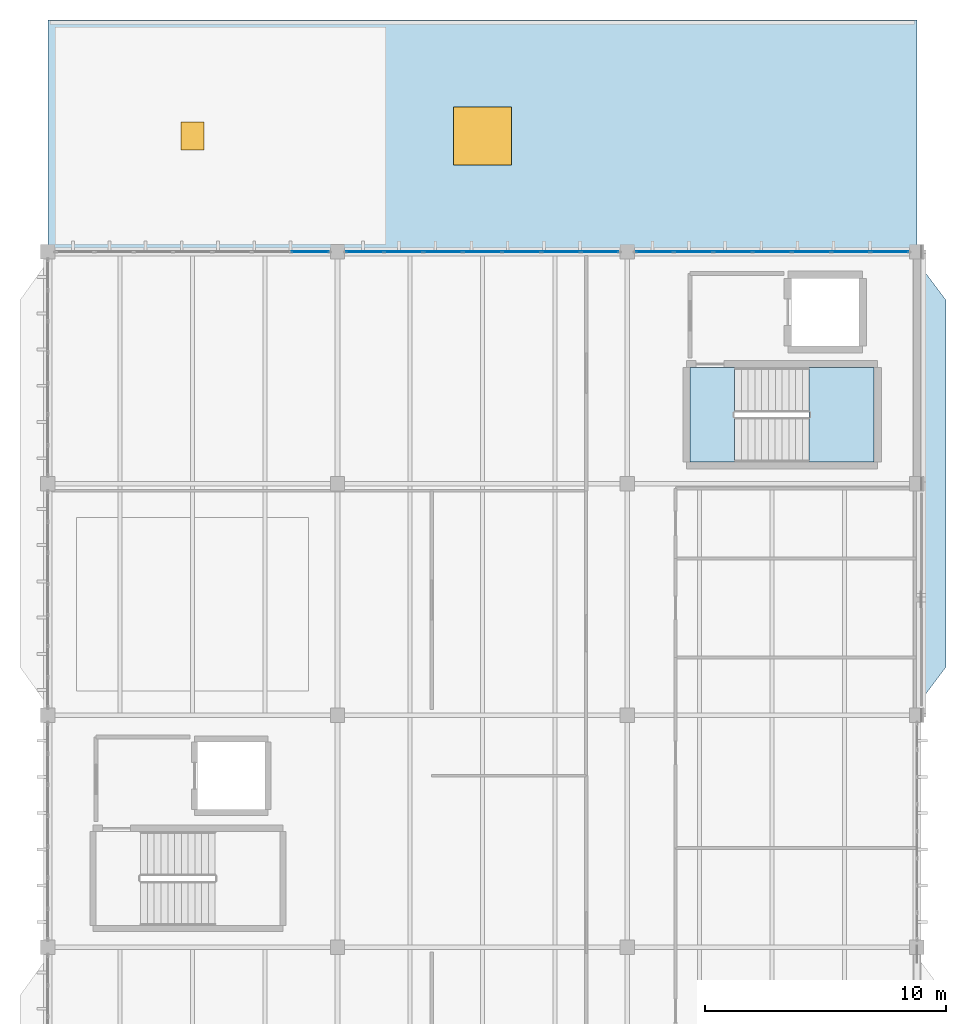
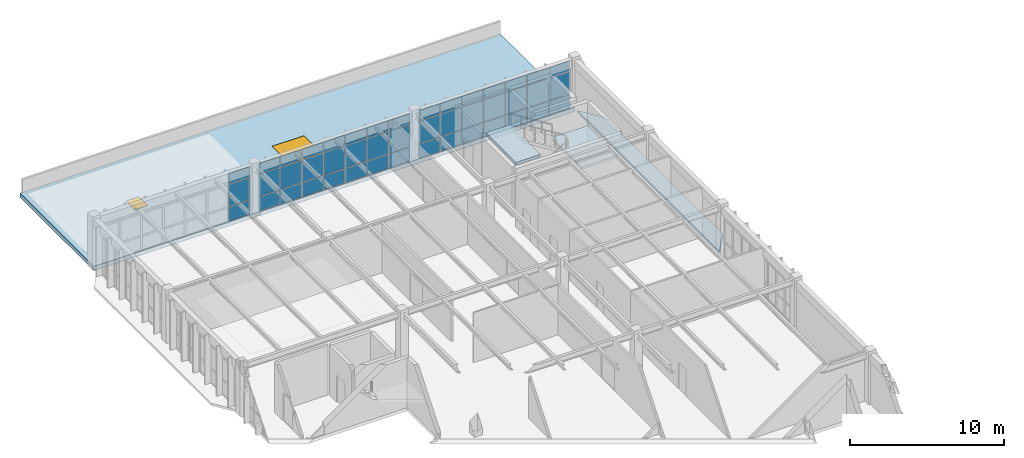
# One storey, part 29 of 37: 45 plates, 4 slabs, 1 door, 1 window, 2 openings, 4 elements without a shape of their own.
"""IFC4 building model written with IfcOpenShell, lengths in metres."""

from ifc_helpers import new_model, si_unit, direction, frame, origin, origin_2d, place, context, subcontext, project, spatial, polyline, rectangle, outline, extrude, material, layer, layer_set, type_object, element, fill, aggregate, save


model = new_model("IFC4")

# Units and contexts
model_context = context("Model", 3, precision=1e-05, world=origin(), true_north=direction((0.0, 1.0)))
body_context = subcontext(model_context, "Body", "Model", "MODEL_VIEW")
ifc_project = project(units=[si_unit("LENGTHUNIT", "METRE"), si_unit("AREAUNIT", "SQUARE_METRE"), si_unit("VOLUMEUNIT", "CUBIC_METRE"), si_unit("PLANEANGLEUNIT", "RADIAN"), si_unit("MASSUNIT", "GRAM", prefix="KILO")], contexts=[model_context])

# Site, building, storey
site_placement = place(None, origin())
site = spatial("IfcSite", under=ifc_project, at=site_placement, CompositionType="ELEMENT")
building_placement = place(site_placement, origin())
building = spatial("IfcBuilding", under=site, at=building_placement, Name="Pandanus Reach Market Hall", CompositionType="ELEMENT")
storey_placement = place(building_placement, frame((0.0, 0.0, 14.39990234375)))
storey = spatial("IfcBuildingStorey", under=building, at=storey_placement, Name="L03", CompositionType="ELEMENT", Elevation=14.39990234375)

# Curtain wall, plates
ifc_material_1 = material(Name="Bronze anodised aluminium and low-E glass", Category="aluminium")
ifc_layer_1 = layer(ifc_material_1, 0.159912109375, Name="CW-31")
ifc_layer_set_1 = layer_set([ifc_layer_1], Name="Bronze anodised aluminium and low-E glass")
curtain_wall_type = type_object("IfcCurtainWallType", Name="CW-31", PredefinedType="NOTDEFINED", material=ifc_layer_set_1)
curtain_wall_1_placement = place(storey_placement, origin())
curtain_wall_1 = element("IfcCurtainWall", 1, at=curtain_wall_1_placement, inside=storey, type_object=curtain_wall_type, Name="Glazed curtain wall CW-31 CW-0118", PredefinedType="NOTDEFINED")
ifc_material_2 = material(Name="Solar-control double glazing", Category="glass")
ifc_layer_2 = layer(ifc_material_2, 0.028076171875, Name="CW-P1")
ifc_layer_set_2 = layer_set([ifc_layer_2], Name="Solar-control double glazing")
plate_type = type_object("IfcPlateType", Name="CW-P1", PredefinedType="CURTAIN_PANEL", material=ifc_layer_set_2)
plate_1_placement = place(storey_placement, frame((154.869384765625, 76.800048828125, 0.065185546875), z_axis=(0.0, 0.0, 1.0), x_axis=(1.0, 0.0, 0.0)))
plate_1 = element("IfcPlate", 2, at=plate_1_placement, type_object=plate_type, Name="CW-31 panel 7.1", PredefinedType="CURTAIN_PANEL", context=body_context, shape_type="SweptSolid", body=[
    extrude(rectangle(XDim=1.531005859375, YDim=0.028076171875, at=origin_2d()), origin(), (0.0, 0.0, 1.0), 1.1025390625),
])
plate_2_placement = place(storey_placement, frame((154.869384765625, 76.800048828125, 1.232421875), z_axis=(0.0, 0.0, 1.0), x_axis=(1.0, 0.0, 0.0)))
plate_2 = element("IfcPlate", 3, at=plate_2_placement, type_object=plate_type, Name="CW-31 panel 7.2", PredefinedType="CURTAIN_PANEL", context=body_context, shape_type="SweptSolid", body=[
    extrude(rectangle(XDim=1.531005859375, YDim=0.028076171875, at=origin_2d()), origin(), (0.0, 0.0, 1.0), 1.735107421875),
])
plate_3_placement = place(storey_placement, frame((154.869384765625, 76.800048828125, 3.03271484375), z_axis=(0.0, 0.0, 1.0), x_axis=(1.0, 0.0, 0.0)))
plate_3 = element("IfcPlate", 4, at=plate_3_placement, type_object=plate_type, Name="CW-31 panel 7.3", PredefinedType="CURTAIN_PANEL", context=body_context, shape_type="SweptSolid", body=[
    extrude(rectangle(XDim=1.531005859375, YDim=0.028076171875, at=origin_2d()), origin(), (0.0, 0.0, 1.0), 0.802490234375),
])
aggregate(curtain_wall_1, [plate_1, plate_2, plate_3])

curtain_wall_2_placement = place(storey_placement, origin())
curtain_wall_2 = element("IfcCurtainWall", 5, at=curtain_wall_2_placement, inside=storey, type_object=curtain_wall_type, Name="Glazed curtain wall CW-31 CW-0119", PredefinedType="NOTDEFINED")
plate_4_placement = place(storey_placement, frame((157.130615234375, 76.800048828125, 0.065185546875), z_axis=(0.0, 0.0, 1.0), x_axis=(1.0, 0.0, 0.0)))
plate_4 = element("IfcPlate", 6, at=plate_4_placement, type_object=plate_type, Name="CW-31 panel 1.1", PredefinedType="CURTAIN_PANEL", context=body_context, shape_type="SweptSolid", body=[
    extrude(rectangle(XDim=1.531005859375, YDim=0.028076171875, at=origin_2d()), origin(), (0.0, 0.0, 1.0), 1.1025390625),
])
plate_5_placement = place(storey_placement, frame((157.130615234375, 76.800048828125, 1.232421875), z_axis=(0.0, 0.0, 1.0), x_axis=(1.0, 0.0, 0.0)))
plate_5 = element("IfcPlate", 7, at=plate_5_placement, type_object=plate_type, Name="CW-31 panel 1.2", PredefinedType="CURTAIN_PANEL", context=body_context, shape_type="SweptSolid", body=[
    extrude(rectangle(XDim=1.531005859375, YDim=0.028076171875, at=origin_2d()), origin(), (0.0, 0.0, 1.0), 1.735107421875),
])
plate_6_placement = place(storey_placement, frame((157.130615234375, 76.800048828125, 3.03271484375), z_axis=(0.0, 0.0, 1.0), x_axis=(1.0, 0.0, 0.0)))
plate_6 = element("IfcPlate", 8, at=plate_6_placement, type_object=plate_type, Name="CW-31 panel 1.3", PredefinedType="CURTAIN_PANEL", context=body_context, shape_type="SweptSolid", body=[
    extrude(rectangle(XDim=1.531005859375, YDim=0.028076171875, at=origin_2d()), origin(), (0.0, 0.0, 1.0), 0.802490234375),
])
plate_7_placement = place(storey_placement, frame((158.742919921875, 76.800048828125, 0.065185546875), z_axis=(0.0, 0.0, 1.0), x_axis=(1.0, 0.0, 0.0)))
plate_7 = element("IfcPlate", 9, at=plate_7_placement, type_object=plate_type, Name="CW-31 panel 2.1", PredefinedType="CURTAIN_PANEL", context=body_context, shape_type="SweptSolid", body=[
    extrude(rectangle(XDim=1.5634765625, YDim=0.028076171875, at=origin_2d()), origin(), (0.0, 0.0, 1.0), 1.1025390625),
])
plate_8_placement = place(storey_placement, frame((158.742919921875, 76.800048828125, 1.232421875), z_axis=(0.0, 0.0, 1.0), x_axis=(1.0, 0.0, 0.0)))
plate_8 = element("IfcPlate", 10, at=plate_8_placement, type_object=plate_type, Name="CW-31 panel 2.2", PredefinedType="CURTAIN_PANEL", context=body_context, shape_type="SweptSolid", body=[
    extrude(rectangle(XDim=1.5634765625, YDim=0.028076171875, at=origin_2d()), origin(), (0.0, 0.0, 1.0), 1.735107421875),
])
plate_9_placement = place(storey_placement, frame((158.742919921875, 76.800048828125, 3.03271484375), z_axis=(0.0, 0.0, 1.0), x_axis=(1.0, 0.0, 0.0)))
plate_9 = element("IfcPlate", 11, at=plate_9_placement, type_object=plate_type, Name="CW-31 panel 2.3", PredefinedType="CURTAIN_PANEL", context=body_context, shape_type="SweptSolid", body=[
    extrude(rectangle(XDim=1.5634765625, YDim=0.028076171875, at=origin_2d()), origin(), (0.0, 0.0, 1.0), 0.802490234375),
])
plate_10_placement = place(storey_placement, frame((160.371337890625, 76.800048828125, 0.065185546875), z_axis=(0.0, 0.0, 1.0), x_axis=(1.0, 0.0, 0.0)))
plate_10 = element("IfcPlate", 12, at=plate_10_placement, type_object=plate_type, Name="CW-31 panel 3.1", PredefinedType="CURTAIN_PANEL", context=body_context, shape_type="SweptSolid", body=[
    extrude(rectangle(XDim=1.5634765625, YDim=0.028076171875, at=origin_2d()), origin(), (0.0, 0.0, 1.0), 1.1025390625),
])
plate_11_placement = place(storey_placement, frame((160.371337890625, 76.800048828125, 1.232421875), z_axis=(0.0, 0.0, 1.0), x_axis=(1.0, 0.0, 0.0)))
plate_11 = element("IfcPlate", 13, at=plate_11_placement, type_object=plate_type, Name="CW-31 panel 3.2", PredefinedType="CURTAIN_PANEL", context=body_context, shape_type="SweptSolid", body=[
    extrude(rectangle(XDim=1.5634765625, YDim=0.028076171875, at=origin_2d()), origin(), (0.0, 0.0, 1.0), 1.735107421875),
])
plate_12_placement = place(storey_placement, frame((160.371337890625, 76.800048828125, 3.03271484375), z_axis=(0.0, 0.0, 1.0), x_axis=(1.0, 0.0, 0.0)))
plate_12 = element("IfcPlate", 14, at=plate_12_placement, type_object=plate_type, Name="CW-31 panel 3.3", PredefinedType="CURTAIN_PANEL", context=body_context, shape_type="SweptSolid", body=[
    extrude(rectangle(XDim=1.5634765625, YDim=0.028076171875, at=origin_2d()), origin(), (0.0, 0.0, 1.0), 0.802490234375),
])
plate_13_placement = place(storey_placement, frame((162.0, 76.800048828125, 0.065185546875), z_axis=(0.0, 0.0, 1.0), x_axis=(1.0, 0.0, 0.0)))
plate_13 = element("IfcPlate", 15, at=plate_13_placement, type_object=plate_type, Name="CW-31 panel 4.1", PredefinedType="CURTAIN_PANEL", context=body_context, shape_type="SweptSolid", body=[
    extrude(rectangle(XDim=1.5634765625, YDim=0.028076171875, at=origin_2d()), origin(), (0.0, 0.0, 1.0), 1.1025390625),
])
plate_14_placement = place(storey_placement, frame((162.0, 76.800048828125, 1.232421875), z_axis=(0.0, 0.0, 1.0), x_axis=(1.0, 0.0, 0.0)))
plate_14 = element("IfcPlate", 16, at=plate_14_placement, type_object=plate_type, Name="CW-31 panel 4.2", PredefinedType="CURTAIN_PANEL", context=body_context, shape_type="SweptSolid", body=[
    extrude(rectangle(XDim=1.5634765625, YDim=0.028076171875, at=origin_2d()), origin(), (0.0, 0.0, 1.0), 1.735107421875),
])
plate_15_placement = place(storey_placement, frame((162.0, 76.800048828125, 3.03271484375), z_axis=(0.0, 0.0, 1.0), x_axis=(1.0, 0.0, 0.0)))
plate_15 = element("IfcPlate", 17, at=plate_15_placement, type_object=plate_type, Name="CW-31 panel 4.3", PredefinedType="CURTAIN_PANEL", context=body_context, shape_type="SweptSolid", body=[
    extrude(rectangle(XDim=1.5634765625, YDim=0.028076171875, at=origin_2d()), origin(), (0.0, 0.0, 1.0), 0.802490234375),
])
plate_16_placement = place(storey_placement, frame((163.628662109375, 76.800048828125, 0.065185546875), z_axis=(0.0, 0.0, 1.0), x_axis=(1.0, 0.0, 0.0)))
plate_16 = element("IfcPlate", 18, at=plate_16_placement, type_object=plate_type, Name="CW-31 panel 5.1", PredefinedType="CURTAIN_PANEL", context=body_context, shape_type="SweptSolid", body=[
    extrude(rectangle(XDim=1.5634765625, YDim=0.028076171875, at=origin_2d()), origin(), (0.0, 0.0, 1.0), 1.1025390625),
])
plate_17_placement = place(storey_placement, frame((163.628662109375, 76.800048828125, 1.232421875), z_axis=(0.0, 0.0, 1.0), x_axis=(1.0, 0.0, 0.0)))
plate_17 = element("IfcPlate", 19, at=plate_17_placement, type_object=plate_type, Name="CW-31 panel 5.2", PredefinedType="CURTAIN_PANEL", context=body_context, shape_type="SweptSolid", body=[
    extrude(rectangle(XDim=1.5634765625, YDim=0.028076171875, at=origin_2d()), origin(), (0.0, 0.0, 1.0), 1.735107421875),
])
plate_18_placement = place(storey_placement, frame((163.628662109375, 76.800048828125, 3.03271484375), z_axis=(0.0, 0.0, 1.0), x_axis=(1.0, 0.0, 0.0)))
plate_18 = element("IfcPlate", 20, at=plate_18_placement, type_object=plate_type, Name="CW-31 panel 5.3", PredefinedType="CURTAIN_PANEL", context=body_context, shape_type="SweptSolid", body=[
    extrude(rectangle(XDim=1.5634765625, YDim=0.028076171875, at=origin_2d()), origin(), (0.0, 0.0, 1.0), 0.802490234375),
])
plate_19_placement = place(storey_placement, frame((165.257080078125, 76.800048828125, 0.065185546875), z_axis=(0.0, 0.0, 1.0), x_axis=(1.0, 0.0, 0.0)))
plate_19 = element("IfcPlate", 21, at=plate_19_placement, type_object=plate_type, Name="CW-31 panel 6.1", PredefinedType="CURTAIN_PANEL", context=body_context, shape_type="SweptSolid", body=[
    extrude(rectangle(XDim=1.5634765625, YDim=0.028076171875, at=origin_2d()), origin(), (0.0, 0.0, 1.0), 1.1025390625),
])
plate_20_placement = place(storey_placement, frame((165.257080078125, 76.800048828125, 1.232421875), z_axis=(0.0, 0.0, 1.0), x_axis=(1.0, 0.0, 0.0)))
plate_20 = element("IfcPlate", 22, at=plate_20_placement, type_object=plate_type, Name="CW-31 panel 6.2", PredefinedType="CURTAIN_PANEL", context=body_context, shape_type="SweptSolid", body=[
    extrude(rectangle(XDim=1.5634765625, YDim=0.028076171875, at=origin_2d()), origin(), (0.0, 0.0, 1.0), 1.735107421875),
])
plate_21_placement = place(storey_placement, frame((165.257080078125, 76.800048828125, 3.03271484375), z_axis=(0.0, 0.0, 1.0), x_axis=(1.0, 0.0, 0.0)))
plate_21 = element("IfcPlate", 23, at=plate_21_placement, type_object=plate_type, Name="CW-31 panel 6.3", PredefinedType="CURTAIN_PANEL", context=body_context, shape_type="SweptSolid", body=[
    extrude(rectangle(XDim=1.5634765625, YDim=0.028076171875, at=origin_2d()), origin(), (0.0, 0.0, 1.0), 0.802490234375),
])
plate_22_placement = place(storey_placement, frame((166.869384765625, 76.800048828125, 0.065185546875), z_axis=(0.0, 0.0, 1.0), x_axis=(1.0, 0.0, 0.0)))
plate_22 = element("IfcPlate", 24, at=plate_22_placement, type_object=plate_type, Name="CW-31 panel 7.1", PredefinedType="CURTAIN_PANEL", context=body_context, shape_type="SweptSolid", body=[
    extrude(rectangle(XDim=1.531005859375, YDim=0.028076171875, at=origin_2d()), origin(), (0.0, 0.0, 1.0), 1.1025390625),
])
plate_23_placement = place(storey_placement, frame((166.869384765625, 76.800048828125, 1.232421875), z_axis=(0.0, 0.0, 1.0), x_axis=(1.0, 0.0, 0.0)))
plate_23 = element("IfcPlate", 25, at=plate_23_placement, type_object=plate_type, Name="CW-31 panel 7.2", PredefinedType="CURTAIN_PANEL", context=body_context, shape_type="SweptSolid", body=[
    extrude(rectangle(XDim=1.531005859375, YDim=0.028076171875, at=origin_2d()), origin(), (0.0, 0.0, 1.0), 1.735107421875),
])
plate_24_placement = place(storey_placement, frame((166.869384765625, 76.800048828125, 3.03271484375), z_axis=(0.0, 0.0, 1.0), x_axis=(1.0, 0.0, 0.0)))
plate_24 = element("IfcPlate", 26, at=plate_24_placement, type_object=plate_type, Name="CW-31 panel 7.3", PredefinedType="CURTAIN_PANEL", context=body_context, shape_type="SweptSolid", body=[
    extrude(rectangle(XDim=1.531005859375, YDim=0.028076171875, at=origin_2d()), origin(), (0.0, 0.0, 1.0), 0.802490234375),
])
aggregate(curtain_wall_2, [plate_4, plate_5, plate_6, plate_7, plate_8, plate_9, plate_10, plate_11, plate_12, plate_13, plate_14, plate_15, plate_16, plate_17, plate_18, plate_19, plate_20, plate_21, plate_22, plate_23, plate_24])

curtain_wall_3_placement = place(storey_placement, origin())
curtain_wall_3 = element("IfcCurtainWall", 27, at=curtain_wall_3_placement, inside=storey, type_object=curtain_wall_type, Name="Glazed curtain wall CW-31 CW-0120", PredefinedType="NOTDEFINED")
plate_25_placement = place(storey_placement, frame((169.130615234375, 76.800048828125, 0.065185546875), z_axis=(0.0, 0.0, 1.0), x_axis=(1.0, 0.0, 0.0)))
plate_25 = element("IfcPlate", 28, at=plate_25_placement, type_object=plate_type, Name="CW-31 panel 1.1", PredefinedType="CURTAIN_PANEL", context=body_context, shape_type="SweptSolid", body=[
    extrude(rectangle(XDim=1.531005859375, YDim=0.028076171875, at=origin_2d()), origin(), (0.0, 0.0, 1.0), 1.1025390625),
])
plate_26_placement = place(storey_placement, frame((169.130615234375, 76.800048828125, 1.232421875), z_axis=(0.0, 0.0, 1.0), x_axis=(1.0, 0.0, 0.0)))
plate_26 = element("IfcPlate", 29, at=plate_26_placement, type_object=plate_type, Name="CW-31 panel 1.2", PredefinedType="CURTAIN_PANEL", context=body_context, shape_type="SweptSolid", body=[
    extrude(rectangle(XDim=1.531005859375, YDim=0.028076171875, at=origin_2d()), origin(), (0.0, 0.0, 1.0), 1.735107421875),
])
plate_27_placement = place(storey_placement, frame((169.130615234375, 76.800048828125, 3.03271484375), z_axis=(0.0, 0.0, 1.0), x_axis=(1.0, 0.0, 0.0)))
plate_27 = element("IfcPlate", 30, at=plate_27_placement, type_object=plate_type, Name="CW-31 panel 1.3", PredefinedType="CURTAIN_PANEL", context=body_context, shape_type="SweptSolid", body=[
    extrude(rectangle(XDim=1.531005859375, YDim=0.028076171875, at=origin_2d()), origin(), (0.0, 0.0, 1.0), 0.802490234375),
])
plate_28_placement = place(storey_placement, frame((170.742919921875, 76.800048828125, 0.065185546875), z_axis=(0.0, 0.0, 1.0), x_axis=(1.0, 0.0, 0.0)))
plate_28 = element("IfcPlate", 31, at=plate_28_placement, type_object=plate_type, Name="CW-31 panel 2.1", PredefinedType="CURTAIN_PANEL", context=body_context, shape_type="SweptSolid", body=[
    extrude(rectangle(XDim=1.5634765625, YDim=0.028076171875, at=origin_2d()), origin(), (0.0, 0.0, 1.0), 1.1025390625),
])
plate_29_placement = place(storey_placement, frame((170.742919921875, 76.800048828125, 1.232421875), z_axis=(0.0, 0.0, 1.0), x_axis=(1.0, 0.0, 0.0)))
plate_29 = element("IfcPlate", 32, at=plate_29_placement, type_object=plate_type, Name="CW-31 panel 2.2", PredefinedType="CURTAIN_PANEL", context=body_context, shape_type="SweptSolid", body=[
    extrude(rectangle(XDim=1.5634765625, YDim=0.028076171875, at=origin_2d()), origin(), (0.0, 0.0, 1.0), 1.735107421875),
])
plate_30_placement = place(storey_placement, frame((170.742919921875, 76.800048828125, 3.03271484375), z_axis=(0.0, 0.0, 1.0), x_axis=(1.0, 0.0, 0.0)))
plate_30 = element("IfcPlate", 33, at=plate_30_placement, type_object=plate_type, Name="CW-31 panel 2.3", PredefinedType="CURTAIN_PANEL", context=body_context, shape_type="SweptSolid", body=[
    extrude(rectangle(XDim=1.5634765625, YDim=0.028076171875, at=origin_2d()), origin(), (0.0, 0.0, 1.0), 0.802490234375),
])
plate_31_placement = place(storey_placement, frame((172.371337890625, 76.800048828125, 0.065185546875), z_axis=(0.0, 0.0, 1.0), x_axis=(1.0, 0.0, 0.0)))
plate_31 = element("IfcPlate", 34, at=plate_31_placement, type_object=plate_type, Name="CW-31 panel 3.1", PredefinedType="CURTAIN_PANEL", context=body_context, shape_type="SweptSolid", body=[
    extrude(rectangle(XDim=1.5634765625, YDim=0.028076171875, at=origin_2d()), origin(), (0.0, 0.0, 1.0), 1.1025390625),
])
plate_32_placement = place(storey_placement, frame((172.371337890625, 76.800048828125, 1.232421875), z_axis=(0.0, 0.0, 1.0), x_axis=(1.0, 0.0, 0.0)))
plate_32 = element("IfcPlate", 35, at=plate_32_placement, type_object=plate_type, Name="CW-31 panel 3.2", PredefinedType="CURTAIN_PANEL", context=body_context, shape_type="SweptSolid", body=[
    extrude(rectangle(XDim=1.5634765625, YDim=0.028076171875, at=origin_2d()), origin(), (0.0, 0.0, 1.0), 1.735107421875),
])
plate_33_placement = place(storey_placement, frame((172.371337890625, 76.800048828125, 3.03271484375), z_axis=(0.0, 0.0, 1.0), x_axis=(1.0, 0.0, 0.0)))
plate_33 = element("IfcPlate", 36, at=plate_33_placement, type_object=plate_type, Name="CW-31 panel 3.3", PredefinedType="CURTAIN_PANEL", context=body_context, shape_type="SweptSolid", body=[
    extrude(rectangle(XDim=1.5634765625, YDim=0.028076171875, at=origin_2d()), origin(), (0.0, 0.0, 1.0), 0.802490234375),
])
plate_34_placement = place(storey_placement, frame((174.0, 76.800048828125, 0.065185546875), z_axis=(0.0, 0.0, 1.0), x_axis=(1.0, 0.0, 0.0)))
plate_34 = element("IfcPlate", 37, at=plate_34_placement, type_object=plate_type, Name="CW-31 panel 4.1", PredefinedType="CURTAIN_PANEL", context=body_context, shape_type="SweptSolid", body=[
    extrude(rectangle(XDim=1.5634765625, YDim=0.028076171875, at=origin_2d()), origin(), (0.0, 0.0, 1.0), 1.1025390625),
])
plate_35_placement = place(storey_placement, frame((174.0, 76.800048828125, 1.232421875), z_axis=(0.0, 0.0, 1.0), x_axis=(1.0, 0.0, 0.0)))
plate_35 = element("IfcPlate", 38, at=plate_35_placement, type_object=plate_type, Name="CW-31 panel 4.2", PredefinedType="CURTAIN_PANEL", context=body_context, shape_type="SweptSolid", body=[
    extrude(rectangle(XDim=1.5634765625, YDim=0.028076171875, at=origin_2d()), origin(), (0.0, 0.0, 1.0), 1.735107421875),
])
plate_36_placement = place(storey_placement, frame((174.0, 76.800048828125, 3.03271484375), z_axis=(0.0, 0.0, 1.0), x_axis=(1.0, 0.0, 0.0)))
plate_36 = element("IfcPlate", 39, at=plate_36_placement, type_object=plate_type, Name="CW-31 panel 4.3", PredefinedType="CURTAIN_PANEL", context=body_context, shape_type="SweptSolid", body=[
    extrude(rectangle(XDim=1.5634765625, YDim=0.028076171875, at=origin_2d()), origin(), (0.0, 0.0, 1.0), 0.802490234375),
])
plate_37_placement = place(storey_placement, frame((175.628662109375, 76.800048828125, 0.065185546875), z_axis=(0.0, 0.0, 1.0), x_axis=(1.0, 0.0, 0.0)))
plate_37 = element("IfcPlate", 40, at=plate_37_placement, type_object=plate_type, Name="CW-31 panel 5.1", PredefinedType="CURTAIN_PANEL", context=body_context, shape_type="SweptSolid", body=[
    extrude(rectangle(XDim=1.5634765625, YDim=0.028076171875, at=origin_2d()), origin(), (0.0, 0.0, 1.0), 1.1025390625),
])
plate_38_placement = place(storey_placement, frame((175.628662109375, 76.800048828125, 1.232421875), z_axis=(0.0, 0.0, 1.0), x_axis=(1.0, 0.0, 0.0)))
plate_38 = element("IfcPlate", 41, at=plate_38_placement, type_object=plate_type, Name="CW-31 panel 5.2", PredefinedType="CURTAIN_PANEL", context=body_context, shape_type="SweptSolid", body=[
    extrude(rectangle(XDim=1.5634765625, YDim=0.028076171875, at=origin_2d()), origin(), (0.0, 0.0, 1.0), 1.735107421875),
])
plate_39_placement = place(storey_placement, frame((175.628662109375, 76.800048828125, 3.03271484375), z_axis=(0.0, 0.0, 1.0), x_axis=(1.0, 0.0, 0.0)))
plate_39 = element("IfcPlate", 42, at=plate_39_placement, type_object=plate_type, Name="CW-31 panel 5.3", PredefinedType="CURTAIN_PANEL", context=body_context, shape_type="SweptSolid", body=[
    extrude(rectangle(XDim=1.5634765625, YDim=0.028076171875, at=origin_2d()), origin(), (0.0, 0.0, 1.0), 0.802490234375),
])
plate_40_placement = place(storey_placement, frame((177.257080078125, 76.800048828125, 0.065185546875), z_axis=(0.0, 0.0, 1.0), x_axis=(1.0, 0.0, 0.0)))
plate_40 = element("IfcPlate", 43, at=plate_40_placement, type_object=plate_type, Name="CW-31 panel 6.1", PredefinedType="CURTAIN_PANEL", context=body_context, shape_type="SweptSolid", body=[
    extrude(rectangle(XDim=1.5634765625, YDim=0.028076171875, at=origin_2d()), origin(), (0.0, 0.0, 1.0), 1.1025390625),
])
plate_41_placement = place(storey_placement, frame((177.257080078125, 76.800048828125, 1.232421875), z_axis=(0.0, 0.0, 1.0), x_axis=(1.0, 0.0, 0.0)))
plate_41 = element("IfcPlate", 44, at=plate_41_placement, type_object=plate_type, Name="CW-31 panel 6.2", PredefinedType="CURTAIN_PANEL", context=body_context, shape_type="SweptSolid", body=[
    extrude(rectangle(XDim=1.5634765625, YDim=0.028076171875, at=origin_2d()), origin(), (0.0, 0.0, 1.0), 1.735107421875),
])
plate_42_placement = place(storey_placement, frame((177.257080078125, 76.800048828125, 3.03271484375), z_axis=(0.0, 0.0, 1.0), x_axis=(1.0, 0.0, 0.0)))
plate_42 = element("IfcPlate", 45, at=plate_42_placement, type_object=plate_type, Name="CW-31 panel 6.3", PredefinedType="CURTAIN_PANEL", context=body_context, shape_type="SweptSolid", body=[
    extrude(rectangle(XDim=1.5634765625, YDim=0.028076171875, at=origin_2d()), origin(), (0.0, 0.0, 1.0), 0.802490234375),
])
plate_43_placement = place(storey_placement, frame((178.869384765625, 76.800048828125, 0.065185546875), z_axis=(0.0, 0.0, 1.0), x_axis=(1.0, 0.0, 0.0)))
plate_43 = element("IfcPlate", 46, at=plate_43_placement, type_object=plate_type, Name="CW-31 panel 7.1", PredefinedType="CURTAIN_PANEL", context=body_context, shape_type="SweptSolid", body=[
    extrude(rectangle(XDim=1.531005859375, YDim=0.028076171875, at=origin_2d()), origin(), (0.0, 0.0, 1.0), 1.1025390625),
])
plate_44_placement = place(storey_placement, frame((178.869384765625, 76.800048828125, 1.232421875), z_axis=(0.0, 0.0, 1.0), x_axis=(1.0, 0.0, 0.0)))
plate_44 = element("IfcPlate", 47, at=plate_44_placement, type_object=plate_type, Name="CW-31 panel 7.2", PredefinedType="CURTAIN_PANEL", context=body_context, shape_type="SweptSolid", body=[
    extrude(rectangle(XDim=1.531005859375, YDim=0.028076171875, at=origin_2d()), origin(), (0.0, 0.0, 1.0), 1.735107421875),
])
plate_45_placement = place(storey_placement, frame((178.869384765625, 76.800048828125, 3.03271484375), z_axis=(0.0, 0.0, 1.0), x_axis=(1.0, 0.0, 0.0)))
plate_45 = element("IfcPlate", 48, at=plate_45_placement, type_object=plate_type, Name="CW-31 panel 7.3", PredefinedType="CURTAIN_PANEL", context=body_context, shape_type="SweptSolid", body=[
    extrude(rectangle(XDim=1.531005859375, YDim=0.028076171875, at=origin_2d()), origin(), (0.0, 0.0, 1.0), 0.802490234375),
])
aggregate(curtain_wall_3, [plate_25, plate_26, plate_27, plate_28, plate_29, plate_30, plate_31, plate_32, plate_33, plate_34, plate_35, plate_36, plate_37, plate_38, plate_39, plate_40, plate_41, plate_42, plate_43, plate_44, plate_45])

# Slab
ifc_material_3 = material(Name="Concrete N50 (50 MPa)", Category="concrete")
ifc_layer_3 = layer(ifc_material_3, 0.179931640625, Name="RF-CNP-180")
ifc_layer_set_3 = layer_set([ifc_layer_3], Name="Concrete N50 (50 MPa)")
slab_type_1 = type_object("IfcSlabType", Name="RF-CNP-180", PredefinedType="ROOF", material=ifc_layer_set_3)
slab_1_placement = place(storey_placement, frame((0.0, 0.0, -0.179931640625)))
element("IfcSlab", 49, at=slab_1_placement, inside=storey, type_object=slab_type_1, Name="Sculpted concrete brise-soleil hood 15", PredefinedType="ROOF", context=body_context, shape_type="SweptSolid", body=[
    extrude(outline(polyline([(180.0, 58.0), (180.0, 76.39990234375), (181.199951171875, 74.800048828125), (181.199951171875, 59.60009765625), (180.0, 58.0)])), origin(), (0.0, 0.0, 1.0), 0.179931640625),
])

# Slab, openings, window, door
ifc_material_4 = material(Name="Concrete N40 (40 MPa)", Category="concrete")
ifc_layer_4 = layer(ifc_material_4, 0.340087890625, Name="RF-FLT-340")
ifc_layer_set_4 = layer_set([ifc_layer_4], Name="Concrete N40 (40 MPa)")
slab_type_2 = type_object("IfcSlabType", Name="RF-FLT-340", PredefinedType="ROOF", material=ifc_layer_set_4)
slab_2_placement = place(storey_placement, frame((0.0, 0.0, -0.33984375)))
slab_2 = element("IfcSlab", 50, at=slab_2_placement, inside=storey, type_object=slab_type_2, Name="Concrete roof slab RF-L03-V4N", PredefinedType="ROOF", context=body_context, shape_type="SweptSolid", body=[
    extrude(outline(polyline([(144.0, 76.800048828125), (180.0, 76.800048828125), (180.0, 86.39990234375), (144.0, 86.39990234375), (144.0, 76.800048828125)]), holes=[polyline([(160.800048828125, 80.39990234375), (163.199951171875, 80.39990234375), (163.199951171875, 82.800048828125), (160.800048828125, 82.800048828125), (160.800048828125, 80.39990234375)]), polyline([(149.52490234375, 81.02490234375), (150.47509765625, 81.02490234375), (150.47509765625, 82.175048828125), (149.52490234375, 82.175048828125), (149.52490234375, 81.02490234375)])]), origin(), (0.0, 0.0, 1.0), 0.33984375),
])
opening_1_placement = place(slab_2_placement, frame((162.0, 81.60009765625, -0.014892578125)))
opening_1 = element("IfcOpeningElement", 51, at=opening_1_placement, cuts=slab_2, Name="Opening SK-01", PredefinedType="OPENING", context=body_context, shape_type="SweptSolid", body=[
    extrude(rectangle(XDim=2.39990234375, YDim=2.39990234375, at=origin_2d()), origin(), (0.0, 0.0, 1.0), 0.369873046875),
])
opening_2_placement = place(slab_2_placement, frame((150.0, 81.60009765625, -0.014892578125)))
opening_2 = element("IfcOpeningElement", 52, at=opening_2_placement, cuts=slab_2, Name="Opening TRP-095", PredefinedType="OPENING", context=body_context, shape_type="SweptSolid", body=[
    extrude(rectangle(XDim=0.949951171875, YDim=1.14990234375, at=origin_2d()), origin(), (0.0, 0.0, 1.0), 0.369873046875),
])
window_type = type_object("IfcWindowType", Name="SK-01", PartitioningType="SINGLE_PANEL", PredefinedType="SKYLIGHT", material=ifc_material_2)
window_placement = place(slab_2_placement, frame((162.0, 81.60009765625, 0.289794921875)))
window = element("IfcWindow", 53, at=window_placement, inside=storey, type_object=window_type, Name="Roof skylight SK-01 9", OverallHeight=2.39990234375, OverallWidth=2.39990234375, PartitioningType="SINGLE_PANEL", PredefinedType="SKYLIGHT", context=body_context, shape_type="SweptSolid", body=[
    extrude(rectangle(XDim=2.39990234375, YDim=2.39990234375, at=origin_2d()), origin(), (0.0, 0.0, 1.0), 0.050048828125),
])
fill(opening_1, window)
ifc_material_5 = material(Name="Insulated aluminium roof trapdoor", Category="aluminium")
door_type = type_object("IfcDoorType", Name="TRP-095", OperationType="SINGLE_SWING_LEFT", PredefinedType="TRAPDOOR", material=ifc_material_5)
door_placement = place(slab_2_placement, frame((150.0, 81.60009765625, 0.289794921875)))
door = element("IfcDoor", 54, at=door_placement, inside=storey, type_object=door_type, Name="Roof access trapdoor TRP-095 6", OperationType="SINGLE_SWING_LEFT", OverallHeight=1.14990234375, OverallWidth=0.949951171875, PredefinedType="TRAPDOOR", context=body_context, shape_type="SweptSolid", body=[
    extrude(rectangle(XDim=0.949951171875, YDim=1.14990234375, at=origin_2d()), origin(), (0.0, 0.0, 1.0), 0.050048828125),
])
fill(opening_2, door)

# Stair, slabs
stair_type = type_object("IfcStairType", Name="STR-04", PredefinedType="HALF_TURN_STAIR", material=ifc_material_4)
stair_placement = place(storey_placement, origin())
stair = element("IfcStair", 55, at=stair_placement, inside=storey, type_object=stair_type, Name="Stair ST-02 L03", PredefinedType="HALF_TURN_STAIR")
ifc_layer_5 = layer(ifc_material_4, 0.199951171875, Name="SL-LND-200")
ifc_layer_set_5 = layer_set([ifc_layer_5], Name="Concrete N40 (40 MPa)")
slab_type_3 = type_object("IfcSlabType", Name="SL-LND-200", PredefinedType="LANDING", material=ifc_layer_set_5)
slab_3_placement = place(storey_placement, frame((0.0, 0.0, 1.900146484375)))
slab_3 = element("IfcSlab", 56, at=slab_3_placement, type_object=slab_type_3, Name="STR-04 landing 1", PredefinedType="LANDING", context=body_context, shape_type="SweptSolid", body=[
    extrude(outline(polyline([(175.530029296875, 68.10009765625), (178.219970703125, 68.10009765625), (178.219970703125, 72.0), (175.530029296875, 72.0), (175.530029296875, 68.10009765625)])), origin(), (0.0, 0.0, 1.0), 0.199951171875),
])
slab_4_placement = place(storey_placement, frame((0.0, 0.0, 4.0)))
slab_4 = element("IfcSlab", 57, at=slab_4_placement, type_object=slab_type_3, Name="STR-04 landing 2", PredefinedType="LANDING", context=body_context, shape_type="SweptSolid", body=[
    extrude(outline(polyline([(170.60009765625, 68.10009765625), (172.449951171875, 68.10009765625), (172.449951171875, 72.0), (170.60009765625, 72.0), (170.60009765625, 68.10009765625)])), origin(), (0.0, 0.0, 1.0), 0.2001953125),
])
aggregate(stair, [slab_3, slab_4])

save(model, "model.ifc")
